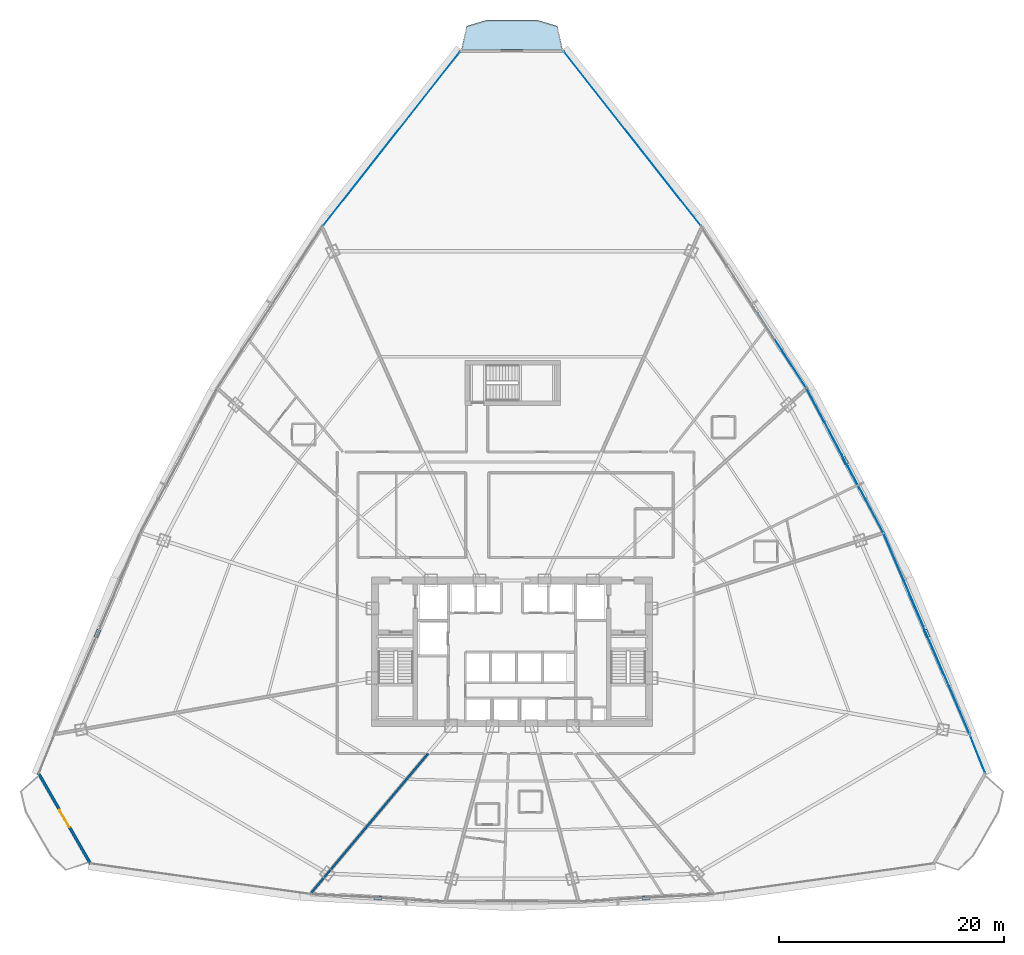
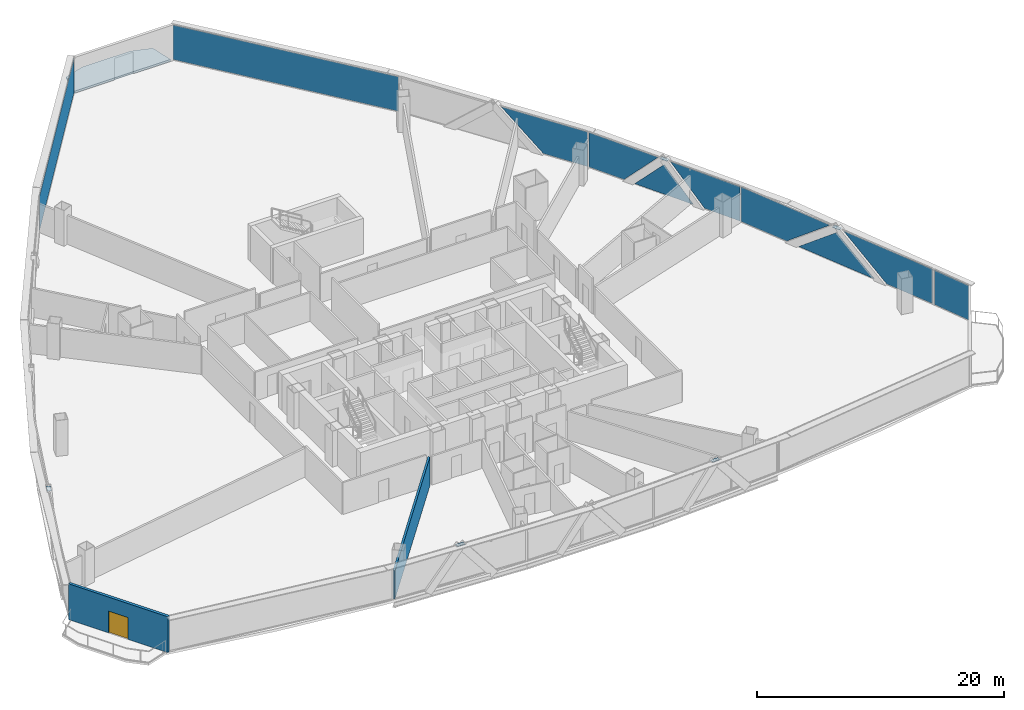
# One storey, part 28 of 37: 15 plates, 2 walls, 1 door, 1 slab, 1 opening, 6 elements without a shape of their own.
"""IFC4 building model written with IfcOpenShell, lengths in metres."""

from ifc_helpers import new_model, si_unit, direction, frame, frame_2d, origin, origin_with_axes, origin_2d, place, context, subcontext, project, spatial, polyline, rectangle, outline, extrude, source, transform, mapped, material, layer, layer_set, type_object, element, fill, aggregate, save


model = new_model("IFC4")

# Units and contexts
model_context = context("Model", 3, precision=1e-05, world=origin(), true_north=direction((0.0, 1.0)))
body_context = subcontext(model_context, "Body", "Model", "MODEL_VIEW")
ifc_project = project(units=[si_unit("LENGTHUNIT", "METRE"), si_unit("AREAUNIT", "SQUARE_METRE"), si_unit("VOLUMEUNIT", "CUBIC_METRE"), si_unit("PLANEANGLEUNIT", "RADIAN"), si_unit("MASSUNIT", "GRAM", prefix="KILO"), si_unit("THERMODYNAMICTEMPERATUREUNIT", "KELVIN"), si_unit("POWERUNIT", "WATT")], contexts=[model_context])

# Site, building, storey
site_placement = place(None, origin())
site = spatial("IfcSite", under=ifc_project, at=site_placement, CompositionType="ELEMENT")
building_placement = place(site_placement, origin())
building = spatial("IfcBuilding", under=site, at=building_placement, Name="Yunzhuo Pagoda Commons", CompositionType="ELEMENT")
storey_placement = place(building_placement, frame((0.0, 0.0, 84.97998046875)))
storey = spatial("IfcBuildingStorey", under=building, at=storey_placement, Name="L21", CompositionType="ELEMENT", Elevation=84.97998046875)

# Curtain wall, plates
ifc_material_1 = material(Name="Anodized aluminium 6063-T6", Category="aluminium")
ifc_layer_1 = layer(ifc_material_1, 0.1650390625)
ifc_layer_set_1 = layer_set([ifc_layer_1], Name="Anodized aluminium 6063-T6")
curtain_wall_type = type_object("IfcCurtainWallType", Name="CW-LOW Low-Zone Ribbon Curtain Wall", PredefinedType="NOTDEFINED", material=ifc_layer_set_1)
curtain_wall_1_placement = place(storey_placement, origin())
curtain_wall_1 = element("IfcCurtainWall", 1, at=curtain_wall_1_placement, inside=storey, type_object=curtain_wall_type, Name="L21 curtain wall CW-L21-F2B2", PredefinedType="NOTDEFINED")
ifc_material_2 = material(Name="Tempered low-e double glazing", Category="glass")
ifc_layer_2 = layer(ifc_material_2, 0.028076171875)
ifc_layer_set_2 = layer_set([ifc_layer_2], Name="Tempered low-e double glazing")
plate_type_1 = type_object("IfcPlateType", Name="CW-LOW-P Low-E Double Glazing 28", PredefinedType="CURTAIN_PANEL", material=ifc_layer_set_2)
plate_1_placement = place(storey_placement, frame((86.9345703125, 30.70263671875, 1.77001953125), z_axis=(0.919250024103, 0.39367422215, 0.0), x_axis=(-0.39367422215, 0.919250024103, 0.0)))
plate_1 = element("IfcPlate", 2, at=plate_1_placement, type_object=plate_type_1, Name="CW panel 1.1 lite 1", PredefinedType="CURTAIN_PANEL", context=body_context, shape_type="SweptSolid", body=[
    extrude(outline(polyline([(-4.49560546875, -1.7099609375), (0.107421875, -1.7099609375), (4.49560546875, 1.7099609375), (-4.49560546875, 1.7099609375), (-4.49560546875, -1.7099609375)])), origin(), (0.0, 0.0, 1.0), 0.028076171875),
])
plate_2_placement = place(storey_placement, frame((84.863525390625, 35.46240234375, 1.55908203125), z_axis=(0.919250024103, 0.39367422215, 0.0), x_axis=(-0.39367422215, 0.919250024103, 0.0)))
plate_2 = element("IfcPlate", 3, at=plate_2_placement, type_object=plate_type_1, Name="CW panel 1.1 lite 2", PredefinedType="CURTAIN_PANEL", context=body_context, shape_type="SweptSolid", body=[
    extrude(outline(polyline([(-3.846923828125, -1.4990234375), (3.846923828125, -1.4990234375), (0.0, 1.4990234375), (-3.846923828125, -1.4990234375)])), origin(), (0.0, 0.0, 1.0), 0.028076171875),
])
plate_3_placement = place(storey_placement, frame((82.84765625, 40.24560546875, 1.77001953125), z_axis=(0.919250024103, 0.39367422215, 0.0), x_axis=(-0.39367422215, 0.919250024103, 0.0)))
plate_3 = element("IfcPlate", 4, at=plate_3_placement, type_object=plate_type_1, Name="CW panel 1.1 lite 3", PredefinedType="CURTAIN_PANEL", context=body_context, shape_type="SweptSolid", body=[
    extrude(outline(polyline([(-4.49560546875, 1.7099609375), (-0.107421875, -1.7099609375), (4.49560546875, -1.7099609375), (4.49560546875, 1.7099609375), (-4.49560546875, 1.7099609375)])), origin(), (0.0, 0.0, 1.0), 0.028076171875),
])
aggregate(curtain_wall_1, [plate_1, plate_2, plate_3])

curtain_wall_2_placement = place(storey_placement, origin())
curtain_wall_2 = element("IfcCurtainWall", 5, at=curtain_wall_2_placement, inside=storey, type_object=curtain_wall_type, Name="L21 curtain wall CW-L21-F2B3", PredefinedType="NOTDEFINED")
plate_4_placement = place(storey_placement, frame((79.463134765625, 47.424072265625, 1.77001953125), z_axis=(0.8828050059, 0.469739631666, 0.0), x_axis=(-0.469739631666, 0.8828050059, 0.0)))
plate_4 = element("IfcPlate", 6, at=plate_4_placement, type_object=plate_type_1, Name="CW panel 1.1 lite 1", PredefinedType="CURTAIN_PANEL", context=body_context, shape_type="SweptSolid", body=[
    extrude(outline(polyline([(-3.31884765625, -1.7099609375), (0.039794921875, -1.7099609375), (3.31884765625, 1.7099609375), (-3.31884765625, 1.7099609375), (-3.31884765625, -1.7099609375)])), origin(), (0.0, 0.0, 1.0), 0.028076171875),
])
plate_5_placement = place(storey_placement, frame((77.603515625, 50.855224609375, 1.525390625), z_axis=(0.8828050059, 0.469739631666, 0.0), x_axis=(-0.469739631666, 0.8828050059, 0.0)))
plate_5 = element("IfcPlate", 7, at=plate_5_placement, type_object=plate_type_1, Name="CW panel 1.1 lite 2", PredefinedType="CURTAIN_PANEL", context=body_context, shape_type="SweptSolid", body=[
    extrude(outline(polyline([(-2.81005859375, -1.46533203125), (2.81005859375, -1.46533203125), (0.0, 1.465576171875), (-2.81005859375, -1.46533203125)])), origin(), (0.0, 0.0, 1.0), 0.028076171875),
])
plate_6_placement = place(storey_placement, frame((75.796630859375, 54.314697265625, 1.77001953125), z_axis=(0.8828050059, 0.469739631666, 0.0), x_axis=(-0.469739631666, 0.8828050059, 0.0)))
plate_6 = element("IfcPlate", 8, at=plate_6_placement, type_object=plate_type_1, Name="CW panel 1.1 lite 3", PredefinedType="CURTAIN_PANEL", context=body_context, shape_type="SweptSolid", body=[
    extrude(outline(polyline([(-3.318603515625, 1.7099609375), (-0.039794921875, -1.7099609375), (3.318603515625, -1.7099609375), (3.318603515625, 1.7099609375), (-3.318603515625, 1.7099609375)])), origin(), (0.0, 0.0, 1.0), 0.028076171875),
])
aggregate(curtain_wall_2, [plate_4, plate_5, plate_6])

# Curtain wall, plate
curtain_wall_3_placement = place(storey_placement, origin())
curtain_wall_3 = element("IfcCurtainWall", 9, at=curtain_wall_3_placement, inside=storey, type_object=curtain_wall_type, Name="L21 curtain wall CW-L21-F2B4", PredefinedType="NOTDEFINED")
plate_7_placement = place(storey_placement, frame((72.03564453125, 60.6494140625, 1.77001953125), z_axis=(0.838906636672, 0.544275348466, 0.0), x_axis=(-0.544275348466, 0.838906636672, 0.0)))
plate_7 = element("IfcPlate", 10, at=plate_7_placement, type_object=plate_type_1, Name="CW panel 1.1 lite 1", PredefinedType="CURTAIN_PANEL", context=body_context, shape_type="SweptSolid", body=[
    extrude(outline(polyline([(-3.926513671875, -1.7099609375), (0.075439453125, -1.7099609375), (3.926513671875, 1.7099609375), (-3.926513671875, 1.7099609375), (-3.926513671875, -1.7099609375)])), origin(), (0.0, 0.0, 1.0), 0.028076171875),
])
aggregate(curtain_wall_3, [plate_7])

# Slab
ifc_material_3 = material(Name="Concrete C40", Category="concrete")
ifc_layer_3 = layer(ifc_material_3, 0.199951171875)
ifc_layer_set_3 = layer_set([ifc_layer_3], Name="Concrete C40")
slab_type = type_object("IfcSlabType", Name="SL-BAL Vertex Balcony Deck Slab 200", PredefinedType="FLOOR", material=ifc_layer_set_3)
slab_placement = place(storey_placement, frame((0.0, 0.0, -0.199951171875)))
element("IfcSlab", 11, at=slab_placement, inside=storey, type_object=slab_type, Name="L21 corner balcony V3", PredefinedType="FLOOR", context=body_context, shape_type="SweptSolid", body=[
    extrude(outline(polyline([(52.502685546875, 87.455078125), (43.497314453125, 87.455078125), (43.947509765625, 89.550048828125), (45.748779296875, 90.10009765625), (50.251220703125, 90.10009765625), (52.052490234375, 89.550048828125), (52.502685546875, 87.455078125)])), origin(), (0.0, 0.0, 1.0), 0.199951171875),
])

# Plates
ifc_material_4 = material(Name="Structural steel Q355B", Category="steel")
ifc_layer_4 = layer(ifc_material_4, 0.028076171875)
ifc_layer_set_4 = layer_set([ifc_layer_4], Name="Structural steel Q355B")
plate_type_2 = type_object("IfcPlateType", Name="SP-ND1 Lattice Node Cap Plate 800x500x28", PredefinedType="USERDEFINED", material=ifc_layer_set_4)
shared_shape_1 = source(origin(), body_context, "Body", "SweptSolid", [
    extrude(rectangle(XDim=0.699951171875, YDim=0.35009765625, at=origin_2d()), origin(), (0.0, 0.0, 1.0), 0.035888671875),
])
for number, where, z_axis, x_axis, name in (
    (12, (36.058349609375, 11.947509765625, 3.501953125), (0.0, 0.0, 1.0), (0.998349844337, -0.057424631585, 0.0), "L21 setback lattice tie plate F1.1L"),
    (13, (59.941650390625, 11.947509765625, 3.501953125), (0.0, 0.0, 1.0), (0.998349844337, 0.057424631585, 0.0), "L21 setback lattice tie plate F1.3L"),
    (14, (84.904052734375, 35.479736328125, 3.501953125), (0.0, 0.0, 1.0), (-0.39366917931, 0.919252183713, 0.0), "L21 setback lattice tie plate F2.1L"),
    (15, (77.642578125, 50.8759765625, 3.501953125), (0.0, 0.0, 1.0), (-0.469733517942, 0.882808258979, 0.0), "L21 setback lattice tie plate F2.2L"),
    (16, (11.095947265625, 35.479736328125, 3.501953125), (0.0, 0.0, 1.0), (-0.39366917931, -0.919252183713, 0.0), "L21 setback lattice tie plate F3.3L"),
):
    element("IfcPlate", number, at=place(storey_placement, frame(where, z_axis=z_axis, x_axis=x_axis)), inside=storey, type_object=plate_type_2, Name=name, ObjectType="STIFFENER_PLATE", PredefinedType="USERDEFINED", context=body_context, shape_type="MappedRepresentation", body=[
        mapped(shared_shape_1, transform((0.0, 0.0, 0.0), scale=1.0)),
    ])

# Curtain wall, plate
curtain_wall_4_placement = place(storey_placement, origin())
curtain_wall_4 = element("IfcCurtainWall", 17, at=curtain_wall_4_placement, inside=storey, type_object=curtain_wall_type, Name="L21 curtain wall CW-L21-F2B1", PredefinedType="NOTDEFINED")
shared_shape_2 = source(origin(), body_context, "Body", "SweptSolid", [
    extrude(rectangle(XDim=3.56005859375, YDim=0.028076171875, at=origin_2d()), origin(), (0.0, 0.0, 1.0), 3.419921875),
])
plate_8_placement = place(storey_placement, frame((89.452392578125, 24.73193359375, 0.06005859375), z_axis=(0.0, 0.0, 1.0), x_axis=(-0.369651850711, 0.929170333828, 0.0)))
plate_8 = element("IfcPlate", 18, at=plate_8_placement, type_object=plate_type_1, Name="CW panel 1.1", PredefinedType="CURTAIN_PANEL", context=body_context, shape_type="MappedRepresentation", body=[
    mapped(shared_shape_2, transform((0.0, 0.0, 0.0), scale=1.0)),
])
aggregate(curtain_wall_4, [plate_8])

curtain_wall_5_placement = place(storey_placement, origin())
curtain_wall_5 = element("IfcCurtainWall", 19, at=curtain_wall_5_placement, inside=storey, type_object=curtain_wall_type, Name="L21 curtain wall CW-L21-F2B5", PredefinedType="NOTDEFINED")
shared_shape_3 = source(origin(), body_context, "Body", "SweptSolid", [
    extrude(rectangle(XDim=19.706298828125, YDim=0.028076171875, at=origin_2d()), origin(), (0.0, 0.0, 1.0), 3.419921875),
])
plate_9_placement = place(storey_placement, frame((58.7275390625, 79.52294921875, 0.06005859375), z_axis=(0.0, 0.0, 1.0), x_axis=(-0.618059974111, 0.786130948635, 0.0)))
plate_9 = element("IfcPlate", 20, at=plate_9_placement, type_object=plate_type_1, Name="CW panel 1.1", PredefinedType="CURTAIN_PANEL", context=body_context, shape_type="MappedRepresentation", body=[
    mapped(shared_shape_3, transform((0.0, 0.0, 0.0), scale=1.0)),
])
aggregate(curtain_wall_5, [plate_9])

curtain_wall_6_placement = place(storey_placement, origin())
curtain_wall_6 = element("IfcCurtainWall", 21, at=curtain_wall_6_placement, inside=storey, type_object=curtain_wall_type, Name="L21 curtain wall CW-L21-F3B1", PredefinedType="NOTDEFINED")
plate_10_placement = place(storey_placement, frame((37.2724609375, 79.52294921875, 0.06005859375), z_axis=(0.0, 0.0, 1.0), x_axis=(-0.618059974111, -0.786130948635, 0.0)))
plate_10 = element("IfcPlate", 22, at=plate_10_placement, type_object=plate_type_1, Name="CW panel 1.1", PredefinedType="CURTAIN_PANEL", context=body_context, shape_type="MappedRepresentation", body=[
    mapped(shared_shape_3, transform((0.0, 0.0, 0.0), scale=1.0)),
])
aggregate(curtain_wall_6, [plate_10])

# Wall, opening, door
ifc_material_5 = material(Name="Precast concrete C40", Category="concrete")
ifc_layer_5 = layer(ifc_material_5, 0.260009765625)
ifc_layer_set_5 = layer_set([ifc_layer_5], Name="Precast concrete C40")
wall_type_1 = type_object("IfcWallType", Name="W-BAL1 Corner Balcony Threshold Wall 260", PredefinedType="STANDARD", material=ifc_layer_set_5)
wall_1_placement = place(storey_placement, frame((5.838134765625, 23.065185546875, 0.0), z_axis=(0.0, 0.0, 1.0), x_axis=(0.497922114025, -0.867221752705, 0.0)))
wall_1 = element("IfcWall", 23, at=wall_1_placement, inside=storey, type_object=wall_type_1, Name="L21 corner balcony wall V1", PredefinedType="STANDARD", context=body_context, shape_type="SweptSolid", body=[
    extrude(rectangle(XDim=9.342529296875, YDim=0.260009765625, at=frame_2d((4.67138671875, 0.0))), origin(), (0.0, 0.0, 1.0), 3.5400390625),
])
opening_placement = place(wall_1_placement, frame((3.771240234375, 0.0, 0.0)))
opening = element("IfcOpeningElement", 24, at=opening_placement, cuts=wall_1, Name="Opening D-BAL1", PredefinedType="OPENING", context=body_context, shape_type="SweptSolid", body=[
    extrude(rectangle(XDim=1.800048828125, YDim=2.14990234375, at=frame_2d((0.89990234375, 1.074951171875))), frame((0.0, 0.14013671875, 0.0), z_axis=(0.0, -1.0, 0.0), x_axis=(1.0, 0.0, 0.0)), (0.0, 0.0, 1.0), 0.280029296875),
])
ifc_material_6 = material(Name="Anodized aluminium frame and tempered glazed leaf", Category="aluminium")
door_type = type_object("IfcDoorType", Name="D-BAL1 Corner Balcony Sliding Glazed Door 1800x2150", OperationType="DOUBLE_DOOR_SLIDING", PredefinedType="DOOR", material=ifc_material_6)
shared_shape_4 = source(origin(), body_context, "Body", "SweptSolid", [
    extrude(rectangle(XDim=1.800048828125, YDim=2.14990234375, at=frame_2d((0.89990234375, 1.074951171875))), frame((0.0, 0.02490234375, 0.0), z_axis=(0.0, -1.0, 0.0), x_axis=(1.0, 0.0, 0.0)), (0.0, 0.0, 1.0), 0.050048828125),
])
door_placement = place(opening_placement, origin_with_axes())
door = element("IfcDoor", 25, at=door_placement, inside=storey, type_object=door_type, Name="L21 corner balcony sliding door V1", OperationType="DOUBLE_DOOR_SLIDING", OverallHeight=2.14990234375, OverallWidth=1.800048828125, PredefinedType="DOOR", context=body_context, shape_type="MappedRepresentation", body=[
    mapped(shared_shape_4, transform((0.0, 0.0, 0.0), scale=1.0)),
])
fill(opening, door)

# Wall
ifc_material_7 = material(Name="Gypsum plasterboard on acoustic stud")
ifc_layer_6 = layer(ifc_material_7, 0.179931640625)
ifc_layer_set_6 = layer_set([ifc_layer_6], Name="Gypsum plasterboard on acoustic stud")
wall_type_2 = type_object("IfcWallType", Name="W-PRT2 Acoustic Unit Demising Wall 180", PredefinedType="PARTITIONING", material=ifc_layer_set_6)
wall_2_placement = place(storey_placement, frame((40.531982421875, 24.800048828125, 0.0), z_axis=(0.0, 0.0, 1.0), x_axis=(-0.642790086939, -0.76604236445, 0.0)))
element("IfcWall", 26, at=wall_2_placement, inside=storey, type_object=wall_type_2, Name="L21 interior wall IW-L21-RAD10", PredefinedType="PARTITIONING", context=body_context, shape_type="SweptSolid", body=[
    extrude(rectangle(XDim=16.325927734375, YDim=0.179931640625, at=frame_2d((8.1630859375, 0.0))), origin(), (0.0, 0.0, 1.0), 2.840087890625),
])

save(model, "model.ifc")
